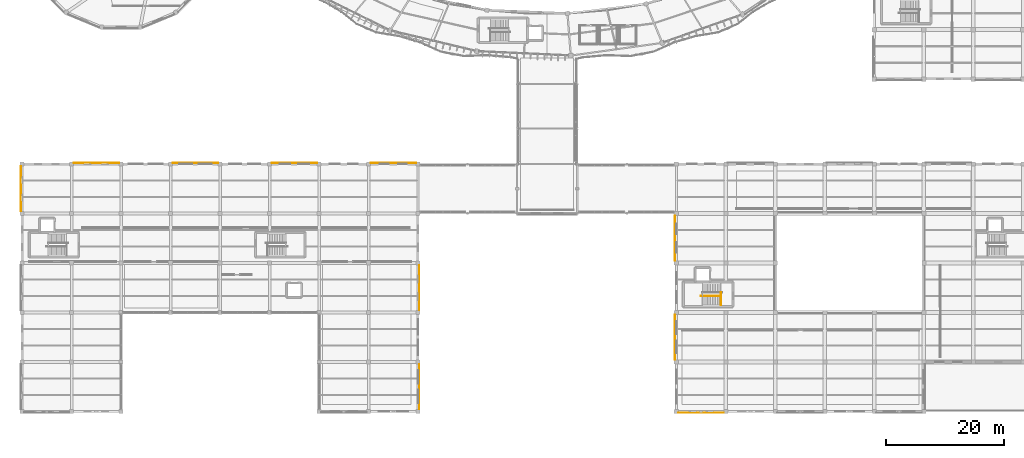
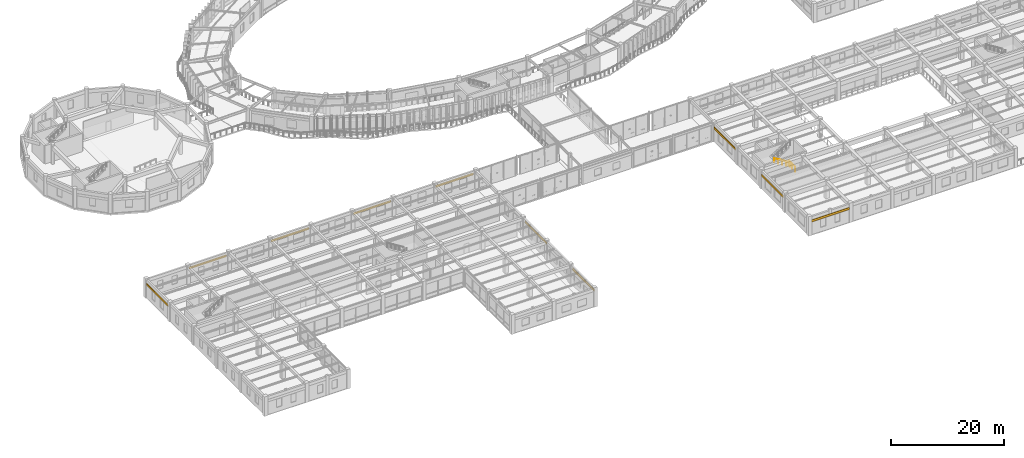
# One storey, part 139 of 152: 10 coverings, 2 railings.
"""IFC4 building model written with IfcOpenShell, lengths in metres."""

import ifcopenshell
import ifcopenshell.guid

model = None  # the IFC model being written
_history = None  # IfcOwnerHistory: only IFC2X3 demands one
_inside = {}  # id of a spatial element -> (the spatial element, [elements in it])
_under = {}  # id of a project, library or spatial element -> (it, [spatial elements below it])
_declared = {}  # id of a project -> (the project, [libraries it declares])
_typed = {}  # id of a type object -> (the type object, [elements of that type])
_made_of = {}  # id of a material, layer set ... -> (it, [elements and type objects made of it])


def new_model(schema):
    """Start an empty IFC model of exactly this schema.

    Asked for "IFC4X3", IfcOpenShell would pick the latest addendum, in which some entities
    have other attributes; the version numbers below select the first issue.
    IFC2X3 requires an IfcOwnerHistory on every rooted entity: one is made here for all.
    """
    global model, _history
    if schema == "IFC4X3":
        model = ifcopenshell.file(schema_version=(4, 3, 0, 0))
    else:
        model = ifcopenshell.file(schema=schema)
    _inside.clear()
    _under.clear()
    _declared.clear()
    _typed.clear()
    _made_of.clear()
    _history = None
    if model.schema == "IFC2X3":
        org = make("IfcOrganization", Name="unknown")
        user = make(
            "IfcPersonAndOrganization",
            ThePerson=make("IfcPerson", FamilyName="unknown"),
            TheOrganization=org,
        )
        app = make(
            "IfcApplication",
            ApplicationDeveloper=org,
            Version="unknown",
            ApplicationFullName="unknown",
            ApplicationIdentifier="unknown",
        )
        _history = make(
            "IfcOwnerHistory",
            OwningUser=user,
            OwningApplication=app,
            ChangeAction="ADDED",
            CreationDate=0,
        )
    return model


def make(cls, **values):
    """One entity of the class cls with the attributes given. An attribute that is None is left unset."""
    return model.create_entity(
        cls, **{name: value for name, value in values.items() if value is not None}
    )


def rooted(cls, **values):
    """An entity with a GlobalId (a new one), such as an element, a storey or a relation."""
    return make(cls, GlobalId=ifcopenshell.guid.new(), OwnerHistory=_history, **values)


def si_unit(unit_type, name, prefix=None):
    """IfcSIUnit, for example si_unit("LENGTHUNIT", "METRE", prefix="MILLI")."""
    return make("IfcSIUnit", UnitType=unit_type, Prefix=prefix, Name=name)


def assignment(units):
    """IfcUnitAssignment: the units of a project."""
    return None if units is None else make("IfcUnitAssignment", Units=units)


def point(xyz):
    """IfcCartesianPoint."""
    return None if xyz is None else make("IfcCartesianPoint", Coordinates=xyz)


def direction(xyz):
    """IfcDirection."""
    return None if xyz is None else make("IfcDirection", DirectionRatios=xyz)


def frame(location, z_axis=None, x_axis=None):
    """IfcAxis2Placement3D, a coordinate frame: its origin and axes. An axis left out is left unset."""
    return make(
        "IfcAxis2Placement3D",
        Location=point(location),
        Axis=direction(z_axis),
        RefDirection=direction(x_axis),
    )


def frame_2d(location, x_axis=None):
    """IfcAxis2Placement2D, a coordinate frame in the plane: its origin and x axis."""
    return make(
        "IfcAxis2Placement2D", Location=point(location), RefDirection=direction(x_axis)
    )


def origin():
    """The frame at (0, 0, 0) with its axes left unset."""
    return frame((0.0, 0.0, 0.0))


def origin_2d():
    """The frame at (0, 0) in the plane with its x axis left unset."""
    return frame_2d((0.0, 0.0))


def place(relative_to, where):
    """IfcLocalPlacement: puts the frame where relative to a parent placement (None: the world)."""
    return make(
        "IfcLocalPlacement", PlacementRelTo=relative_to, RelativePlacement=where
    )


def context(
    kind, dimensions, precision=None, world=None, true_north=None, identifier=None
):
    """IfcGeometricRepresentationContext, for example the 3D "Model" context."""
    return make(
        "IfcGeometricRepresentationContext",
        ContextIdentifier=identifier,
        ContextType=kind,
        CoordinateSpaceDimension=dimensions,
        Precision=precision,
        WorldCoordinateSystem=world,
        TrueNorth=true_north,
    )


def subcontext(parent, identifier, kind, view, scale=None):
    """IfcGeometricRepresentationSubContext, for example "Body" below "Model"."""
    return make(
        "IfcGeometricRepresentationSubContext",
        ContextIdentifier=identifier,
        ContextType=kind,
        ParentContext=parent,
        TargetScale=scale,
        TargetView=view,
    )


def project(units=None, contexts=None):
    """IfcProject with its units and contexts."""
    return rooted(
        "IfcProject",
        Name="project",
        RepresentationContexts=contexts,
        UnitsInContext=assignment(units),
    )


def spatial(cls, under=None, at=None, **own):
    """A site, building, storey or space (cls), placed at a placement, below another one or the project."""
    s = rooted(cls, ObjectPlacement=at, **own)
    if under is not None:
        _under.setdefault(under.id(), (under, []))[1].append(s)
    return s


def polyline(points):
    """IfcPolyline through the points."""
    return make("IfcPolyline", Points=[point(p) for p in points])


def profile(cls, at=None, kind="AREA", **sizes):
    """A parametric profile (cls). Its sizes go by their IFC names, for example OverallWidth=200.0."""
    return make(cls, ProfileType=kind, Position=at, **sizes)


def circle(**sizes):
    """IfcCircleProfileDef."""
    return profile("IfcCircleProfileDef", **sizes)


def outline(outer, holes=None, kind="AREA"):
    """IfcArbitraryClosedProfileDef: a profile drawn as a closed curve; with holes, ...WithVoids."""
    if holes is None:
        return make("IfcArbitraryClosedProfileDef", ProfileType=kind, OuterCurve=outer)
    return make(
        "IfcArbitraryProfileDefWithVoids",
        ProfileType=kind,
        OuterCurve=outer,
        InnerCurves=holes,
    )


def extrude(swept, where, along, depth):
    """IfcExtrudedAreaSolid: the profile swept, set in the frame where, extruded along a direction by depth."""
    return make(
        "IfcExtrudedAreaSolid",
        SweptArea=swept,
        Position=where,
        ExtrudedDirection=direction(along),
        Depth=depth,
    )


def shape(context_of_items, identifier, shape_type, items):
    """IfcShapeRepresentation: the items that make up one representation, for example the "Body"."""
    return make(
        "IfcShapeRepresentation",
        ContextOfItems=context_of_items,
        RepresentationIdentifier=identifier,
        RepresentationType=shape_type,
        Items=items,
    )


def material(Name=None, Category=None):
    """IfcMaterial."""
    return make("IfcMaterial", Name=Name, Category=Category)


def layer(
    of_material, thickness, ventilated=None, Name=None, Category=None, Priority=None
):
    """IfcMaterialLayer: one layer of a wall or slab, of a material (None: an air gap)."""
    return make(
        "IfcMaterialLayer",
        Material=of_material,
        LayerThickness=thickness,
        IsVentilated=ventilated,
        Name=Name,
        Category=Category,
        Priority=Priority,
    )


def layer_set(layers, Name=None):
    """IfcMaterialLayerSet."""
    return make("IfcMaterialLayerSet", MaterialLayers=layers, LayerSetName=Name)


def made_of(thing, what):
    """Note that an element or type object is made of a material, layer set ...; save() writes the relation."""
    if what is not None:
        _made_of.setdefault(what.id(), (what, []))[1].append(thing)
    return thing


def type_object(cls, material=None, **own):
    """A type object (cls), such as IfcWallType, which elements share."""
    return made_of(rooted(cls, **own), material)


def element(
    cls,
    number,
    at=None,
    inside=None,
    cuts=None,
    type_object=None,
    material=None,
    context=None,
    identifier="Body",
    shape_type=None,
    held_by="IfcProductDefinitionShape",
    body=None,
    shapes=None,
    **own,
):
    """One element of the class cls, such as IfcWall. Its Tag is "e" and its number.

    at: its placement. inside: the storey or other place that contains it. cuts: it is an
    opening in that element (IfcRelVoidsElement). A single representation is given by context,
    identifier, shape_type and body (its items); several are given by shapes. held_by: the class
    of the entity that holds the representations. save() writes the other relations.
    """
    e = rooted(cls, Tag="e%d" % number, ObjectPlacement=at, **own)
    if body is not None:
        shapes = [shape(context, identifier, shape_type, body)]
    if shapes is not None:
        e.Representation = make(held_by, Representations=shapes)
    if inside is not None:
        _inside.setdefault(inside.id(), (inside, []))[1].append(e)
    if cuts is not None:
        rooted(
            "IfcRelVoidsElement", RelatingBuildingElement=cuts, RelatedOpeningElement=e
        )
    if type_object is not None:
        _typed.setdefault(type_object.id(), (type_object, []))[1].append(e)
    return made_of(e, material)


def aggregate(whole, parts):
    """IfcRelAggregates: a whole, such as a stair, and the parts it consists of."""
    return rooted("IfcRelAggregates", RelatingObject=whole, RelatedObjects=parts)


def save(model, path):
    """Write the relations noted so far, then the file.

    IfcRelAggregates (storeys below a building ...), IfcRelContainedInSpatialStructure (elements
    in a storey), IfcRelDefinesByType, IfcRelAssociatesMaterial and IfcRelDeclares: one each for
    every whole, place, type object, material and project.
    """
    for whole, parts in _under.values():
        aggregate(whole, parts)
    for where, things in _inside.values():
        rooted(
            "IfcRelContainedInSpatialStructure",
            RelatedElements=things,
            RelatingStructure=where,
        )
    for kind, things in _typed.values():
        rooted("IfcRelDefinesByType", RelatedObjects=things, RelatingType=kind)
    for what, things in _made_of.values():
        rooted("IfcRelAssociatesMaterial", RelatedObjects=things, RelatingMaterial=what)
    for by, libraries in _declared.values():
        rooted("IfcRelDeclares", RelatingContext=by, RelatedDefinitions=libraries)
    model.write(path)


model = new_model("IFC4")

# Units and contexts
model_context = context("Model", 3, precision=1e-05, world=origin(), true_north=direction((0.0, 1.0)))
body_context = subcontext(model_context, "Body", "Model", "MODEL_VIEW")
ifc_project = project(units=[si_unit("LENGTHUNIT", "METRE"), si_unit("AREAUNIT", "SQUARE_METRE"), si_unit("VOLUMEUNIT", "CUBIC_METRE"), si_unit("PLANEANGLEUNIT", "RADIAN"), si_unit("MASSUNIT", "GRAM", prefix="KILO"), si_unit("THERMODYNAMICTEMPERATUREUNIT", "KELVIN"), si_unit("POWERUNIT", "WATT")], contexts=[model_context])

# Site, building, storey
site_placement = place(None, origin())
site = spatial("IfcSite", under=ifc_project, at=site_placement, CompositionType="ELEMENT")
building_placement = place(site_placement, origin())
building = spatial("IfcBuilding", under=site, at=building_placement, Name="Darbajah Civic Hall", CompositionType="ELEMENT")
storey_placement = place(building_placement, frame((0.0, 0.0, 5.39990234375)))
storey = spatial("IfcBuildingStorey", under=building, at=storey_placement, Name="L01", CompositionType="ELEMENT", Elevation=5.39990234375)

# Railings
ifc_material_1 = material(Name="Brushed Bronze Stainless Steel", Category="steel")
railing_type_1 = type_object("IfcRailingType", Name="Brushed Bronze Handrail", PredefinedType="HANDRAIL", material=ifc_material_1)
railing_1_placement = place(storey_placement, frame((118.52001953125, 19.60009765625, 0.175048828125)))
element("IfcRailing", 1, at=railing_1_placement, inside=storey, type_object=railing_type_1, Name="ST06 L01 lower flight handrail", PredefinedType="HANDRAIL", context=body_context, shape_type="SweptSolid", body=[
    extrude(circle(Radius=0.02392578125, at=origin_2d()), frame((-0.023193359375, 0.0, 0.910400390625), z_axis=(-0.845944288966, 0.0, 0.533271281775), x_axis=(0.0, -1.0, 0.0)), (0.0, 0.0, 1.0), 3.91748046875),
    extrude(circle(Radius=0.02099609375, at=origin_2d()), origin(), (0.0, 0.0, 1.0), 0.867919921875),
    extrude(circle(Radius=0.02099609375, at=origin_2d()), frame((-0.840087890625, 0.0, 0.529541015625)), (0.0, 0.0, 1.0), 0.867919921875),
    extrude(circle(Radius=0.02099609375, at=origin_2d()), frame((-1.68017578125, 0.0, 1.05908203125)), (0.0, 0.0, 1.0), 0.867919921875),
    extrude(circle(Radius=0.02099609375, at=origin_2d()), frame((-2.52001953125, 0.0, 1.588623046875)), (0.0, 0.0, 1.0), 0.867919921875),
    extrude(circle(Radius=0.02099609375, at=origin_2d()), frame((-3.360107421875, 0.0, 2.1181640625)), (0.0, 0.0, 1.0), 0.867919921875),
])
ifc_material_2 = material(Name="Brushed Bronze and Laminated Safety Glass", Category="glass")
railing_type_2 = type_object("IfcRailingType", Name="Interior Guard Balustrade", PredefinedType="BALUSTRADE", material=ifc_material_2)
railing_2_placement = place(storey_placement, frame((118.570068359375, 18.050048828125, 0.0)))
element("IfcRailing", 2, at=railing_2_placement, inside=storey, type_object=railing_type_2, Name="ST06 L01 stair-well edge guard", PredefinedType="BALUSTRADE", context=body_context, shape_type="SweptSolid", body=[
    extrude(circle(Radius=0.02392578125, at=origin_2d()), frame((0.0, 0.02734375, 1.09619140625), z_axis=(0.0, 1.0, 0.0), x_axis=(-1.0, 0.0, 0.0)), (0.0, 0.0, 1.0), 2.09521484375),
    extrude(circle(Radius=0.02099609375, at=origin_2d()), origin(), (0.0, 0.0, 1.0), 1.068115234375),
    extrude(circle(Radius=0.02099609375, at=origin_2d()), frame((0.0, 1.074951171875, 0.0)), (0.0, 0.0, 1.0), 1.068115234375),
    extrude(circle(Radius=0.02099609375, at=origin_2d()), frame((0.0, 2.14990234375, 0.0)), (0.0, 0.0, 1.0), 1.068115234375),
])

# Coverings
ifc_material_3 = material(Name="Qatari Desert Limestone Ashlar", Category="masonry")
ifc_layer = layer(ifc_material_3, 0.044921875, Name="Qatari Desert Limestone Ashlar")
ifc_layer_set = layer_set([ifc_layer], Name="Qatari Desert Limestone Ashlar")
covering_type = type_object("IfcCoveringType", Name="Limestone Facade Cladding", PredefinedType="CLADDING", material=ifc_layer_set)
covering_1_placement = place(storey_placement, frame((0.0, 0.0, 2.75)))
element("IfcCovering", 3, at=covering_1_placement, inside=storey, type_object=covering_type, Name="L01 stone frieze cladding EW-V3-L01-S0-B0", PredefinedType="CLADDING", context=body_context, shape_type="SweptSolid", body=[
    extrude(outline(polyline([(111.35205078125, -0.18994140625), (119.048095703125, -0.18994140625), (119.048095703125, -0.235107421875), (111.35205078125, -0.235107421875), (111.35205078125, -0.18994140625)])), origin(), (0.0, 0.0, 1.0), 0.5),
])
covering_2_placement = place(storey_placement, frame((0.0, 0.0, 2.75)))
element("IfcCovering", 4, at=covering_2_placement, inside=storey, type_object=covering_type, Name="L01 stone frieze cladding EW-V3-L01-S5-B0", PredefinedType="CLADDING", context=body_context, shape_type="SweptSolid", body=[
    extrude(outline(polyline([(110.81005859375, 33.248046875), (110.81005859375, 25.552001953125), (110.764892578125, 25.552001953125), (110.764892578125, 33.248046875), (110.81005859375, 33.248046875)])), origin(), (0.0, 0.0, 1.0), 0.5),
])
covering_3_placement = place(storey_placement, frame((0.0, 0.0, 2.75)))
element("IfcCovering", 5, at=covering_3_placement, inside=storey, type_object=covering_type, Name="L01 stone frieze cladding EW-V3-L01-S5-B2", PredefinedType="CLADDING", context=body_context, shape_type="SweptSolid", body=[
    extrude(outline(polyline([(110.81005859375, 16.447998046875), (110.81005859375, 8.751953125), (110.764892578125, 8.751953125), (110.764892578125, 16.447998046875), (110.81005859375, 16.447998046875)])), origin(), (0.0, 0.0, 1.0), 0.5),
])
covering_4_placement = place(storey_placement, frame((0.0, 0.0, 2.7900390625)))
element("IfcCovering", 6, at=covering_4_placement, inside=storey, type_object=covering_type, Name="L01 stone frieze cladding EW-V5-L01-S5-B0", PredefinedType="CLADDING", context=body_context, shape_type="SweptSolid", body=[
    extrude(outline(polyline([(67.35498046875, 0.35205078125), (67.35498046875, 8.048095703125), (67.39990234375, 8.048095703125), (67.39990234375, 0.35205078125), (67.35498046875, 0.35205078125)])), origin(), (0.0, 0.0, 1.0), 0.5),
])
covering_5_placement = place(storey_placement, frame((0.0, 0.0, 2.7900390625)))
element("IfcCovering", 7, at=covering_5_placement, inside=storey, type_object=covering_type, Name="L01 stone frieze cladding EW-V5-L01-S5-B2", PredefinedType="CLADDING", context=body_context, shape_type="SweptSolid", body=[
    extrude(outline(polyline([(67.35498046875, 17.152099609375), (67.35498046875, 24.847900390625), (67.39990234375, 24.847900390625), (67.39990234375, 17.152099609375), (67.35498046875, 17.152099609375)])), origin(), (0.0, 0.0, 1.0), 0.5),
])
covering_6_placement = place(storey_placement, frame((0.0, 0.0, 2.7900390625)))
element("IfcCovering", 8, at=covering_6_placement, inside=storey, type_object=covering_type, Name="L01 stone frieze cladding EW-V5-L01-S6-B0", PredefinedType="CLADDING", context=body_context, shape_type="SweptSolid", body=[
    extrude(outline(polyline([(66.847900390625, 42.155029296875), (59.152099609375, 42.155029296875), (59.152099609375, 42.199951171875), (66.847900390625, 42.199951171875), (66.847900390625, 42.155029296875)])), origin(), (0.0, 0.0, 1.0), 0.5),
])
covering_7_placement = place(storey_placement, frame((0.0, 0.0, 2.7900390625)))
element("IfcCovering", 9, at=covering_7_placement, inside=storey, type_object=covering_type, Name="L01 stone frieze cladding EW-V5-L01-S6-B2", PredefinedType="CLADDING", context=body_context, shape_type="SweptSolid", body=[
    extrude(outline(polyline([(50.048095703125, 42.155029296875), (42.35205078125, 42.155029296875), (42.35205078125, 42.199951171875), (50.048095703125, 42.199951171875), (50.048095703125, 42.155029296875)])), origin(), (0.0, 0.0, 1.0), 0.5),
])
covering_8_placement = place(storey_placement, frame((0.0, 0.0, 2.7900390625)))
element("IfcCovering", 10, at=covering_8_placement, inside=storey, type_object=covering_type, Name="L01 stone frieze cladding EW-V5-L01-S6-B4", PredefinedType="CLADDING", context=body_context, shape_type="SweptSolid", body=[
    extrude(outline(polyline([(33.248046875, 42.155029296875), (25.552001953125, 42.155029296875), (25.552001953125, 42.199951171875), (33.248046875, 42.199951171875), (33.248046875, 42.155029296875)])), origin(), (0.0, 0.0, 1.0), 0.5),
])
covering_9_placement = place(storey_placement, frame((0.0, 0.0, 2.7900390625)))
element("IfcCovering", 11, at=covering_9_placement, inside=storey, type_object=covering_type, Name="L01 stone frieze cladding EW-V5-L01-S6-B6", PredefinedType="CLADDING", context=body_context, shape_type="SweptSolid", body=[
    extrude(outline(polyline([(16.447998046875, 42.155029296875), (8.751953125, 42.155029296875), (8.751953125, 42.199951171875), (16.447998046875, 42.199951171875), (16.447998046875, 42.155029296875)])), origin(), (0.0, 0.0, 1.0), 0.5),
])
covering_10_placement = place(storey_placement, frame((0.0, 0.0, 2.7900390625)))
element("IfcCovering", 12, at=covering_10_placement, inside=storey, type_object=covering_type, Name="L01 stone frieze cladding EW-V5-L01-S7-B0", PredefinedType="CLADDING", context=body_context, shape_type="SweptSolid", body=[
    extrude(outline(polyline([(-0.155029296875, 41.64794921875), (-0.155029296875, 33.951904296875), (-0.199951171875, 33.951904296875), (-0.199951171875, 41.64794921875), (-0.155029296875, 41.64794921875)])), origin(), (0.0, 0.0, 1.0), 0.5),
])

save(model, "model.ifc")
